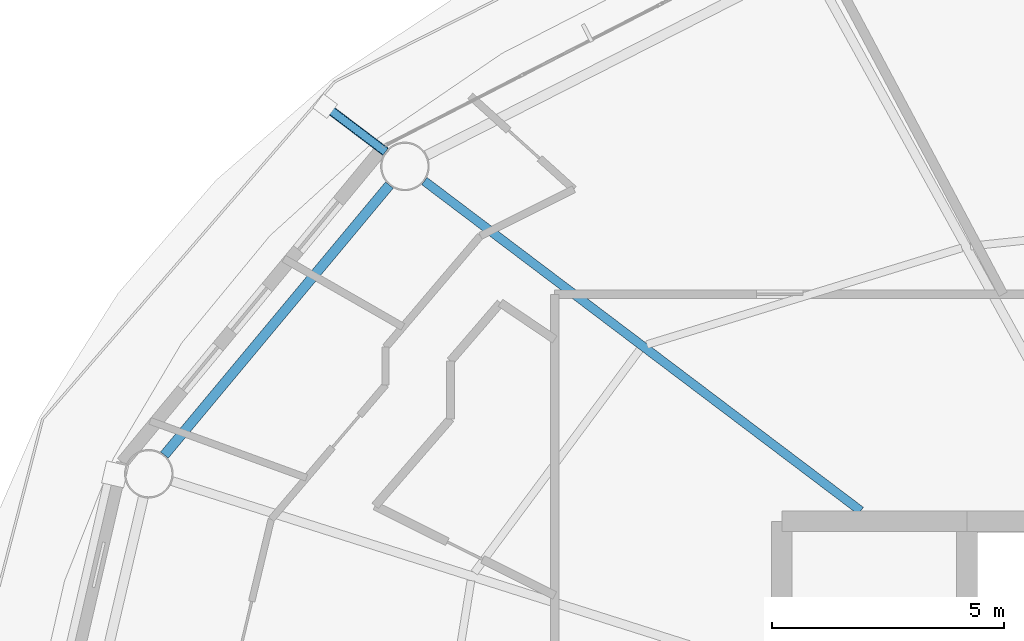
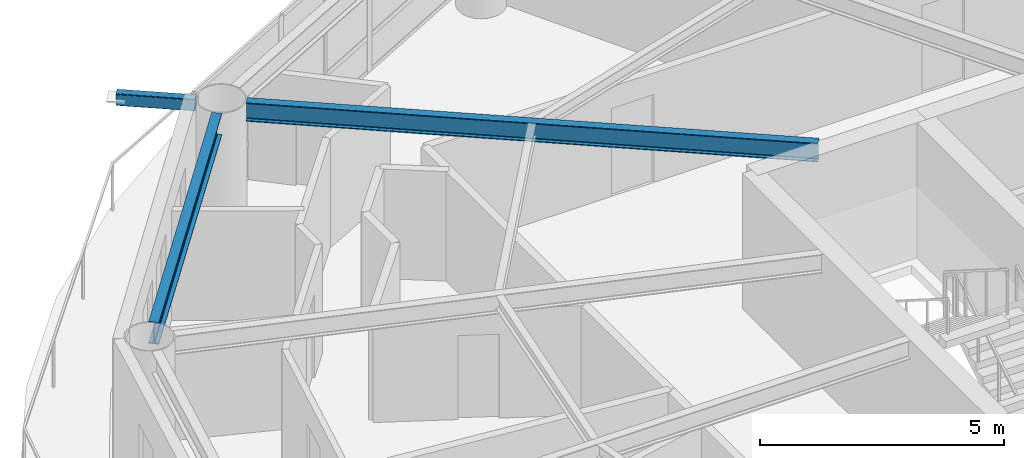
# One storey, part 10 of 28: 2 beams, 1 member.
"""IFC4 building model written with IfcOpenShell, lengths in metres."""

import ifcopenshell
import ifcopenshell.guid

model = None  # the IFC model being written
_history = None  # IfcOwnerHistory: only IFC2X3 demands one
_inside = {}  # id of a spatial element -> (the spatial element, [elements in it])
_under = {}  # id of a project, library or spatial element -> (it, [spatial elements below it])
_declared = {}  # id of a project -> (the project, [libraries it declares])
_typed = {}  # id of a type object -> (the type object, [elements of that type])
_made_of = {}  # id of a material, layer set ... -> (it, [elements and type objects made of it])


def new_model(schema):
    """Start an empty IFC model of exactly this schema.

    Asked for "IFC4X3", IfcOpenShell would pick the latest addendum, in which some entities
    have other attributes; the version numbers below select the first issue.
    IFC2X3 requires an IfcOwnerHistory on every rooted entity: one is made here for all.
    """
    global model, _history
    if schema == "IFC4X3":
        model = ifcopenshell.file(schema_version=(4, 3, 0, 0))
    else:
        model = ifcopenshell.file(schema=schema)
    _inside.clear()
    _under.clear()
    _declared.clear()
    _typed.clear()
    _made_of.clear()
    _history = None
    if model.schema == "IFC2X3":
        org = make("IfcOrganization", Name="unknown")
        user = make(
            "IfcPersonAndOrganization",
            ThePerson=make("IfcPerson", FamilyName="unknown"),
            TheOrganization=org,
        )
        app = make(
            "IfcApplication",
            ApplicationDeveloper=org,
            Version="unknown",
            ApplicationFullName="unknown",
            ApplicationIdentifier="unknown",
        )
        _history = make(
            "IfcOwnerHistory",
            OwningUser=user,
            OwningApplication=app,
            ChangeAction="ADDED",
            CreationDate=0,
        )
    return model


def make(cls, **values):
    """One entity of the class cls with the attributes given. An attribute that is None is left unset."""
    return model.create_entity(
        cls, **{name: value for name, value in values.items() if value is not None}
    )


def rooted(cls, **values):
    """An entity with a GlobalId (a new one), such as an element, a storey or a relation."""
    return make(cls, GlobalId=ifcopenshell.guid.new(), OwnerHistory=_history, **values)


def si_unit(unit_type, name, prefix=None):
    """IfcSIUnit, for example si_unit("LENGTHUNIT", "METRE", prefix="MILLI")."""
    return make("IfcSIUnit", UnitType=unit_type, Prefix=prefix, Name=name)


def assignment(units):
    """IfcUnitAssignment: the units of a project."""
    return None if units is None else make("IfcUnitAssignment", Units=units)


def point(xyz):
    """IfcCartesianPoint."""
    return None if xyz is None else make("IfcCartesianPoint", Coordinates=xyz)


def direction(xyz):
    """IfcDirection."""
    return None if xyz is None else make("IfcDirection", DirectionRatios=xyz)


def frame(location, z_axis=None, x_axis=None):
    """IfcAxis2Placement3D, a coordinate frame: its origin and axes. An axis left out is left unset."""
    return make(
        "IfcAxis2Placement3D",
        Location=point(location),
        Axis=direction(z_axis),
        RefDirection=direction(x_axis),
    )


def frame_2d(location, x_axis=None):
    """IfcAxis2Placement2D, a coordinate frame in the plane: its origin and x axis."""
    return make(
        "IfcAxis2Placement2D", Location=point(location), RefDirection=direction(x_axis)
    )


def origin():
    """The frame at (0, 0, 0) with its axes left unset."""
    return frame((0.0, 0.0, 0.0))


def origin_2d():
    """The frame at (0, 0) in the plane with its x axis left unset."""
    return frame_2d((0.0, 0.0))


def place(relative_to, where):
    """IfcLocalPlacement: puts the frame where relative to a parent placement (None: the world)."""
    return make(
        "IfcLocalPlacement", PlacementRelTo=relative_to, RelativePlacement=where
    )


def context(
    kind, dimensions, precision=None, world=None, true_north=None, identifier=None
):
    """IfcGeometricRepresentationContext, for example the 3D "Model" context."""
    return make(
        "IfcGeometricRepresentationContext",
        ContextIdentifier=identifier,
        ContextType=kind,
        CoordinateSpaceDimension=dimensions,
        Precision=precision,
        WorldCoordinateSystem=world,
        TrueNorth=true_north,
    )


def subcontext(parent, identifier, kind, view, scale=None):
    """IfcGeometricRepresentationSubContext, for example "Body" below "Model"."""
    return make(
        "IfcGeometricRepresentationSubContext",
        ContextIdentifier=identifier,
        ContextType=kind,
        ParentContext=parent,
        TargetScale=scale,
        TargetView=view,
    )


def project(units=None, contexts=None):
    """IfcProject with its units and contexts."""
    return rooted(
        "IfcProject",
        Name="project",
        RepresentationContexts=contexts,
        UnitsInContext=assignment(units),
    )


def spatial(cls, under=None, at=None, **own):
    """A site, building, storey or space (cls), placed at a placement, below another one or the project."""
    s = rooted(cls, ObjectPlacement=at, **own)
    if under is not None:
        _under.setdefault(under.id(), (under, []))[1].append(s)
    return s


def profile(cls, at=None, kind="AREA", **sizes):
    """A parametric profile (cls). Its sizes go by their IFC names, for example OverallWidth=200.0."""
    return make(cls, ProfileType=kind, Position=at, **sizes)


def hollow_rectangle(**sizes):
    """IfcRectangleHollowProfileDef."""
    return profile("IfcRectangleHollowProfileDef", **sizes)


def i_section(**sizes):
    """IfcIShapeProfileDef."""
    return profile("IfcIShapeProfileDef", **sizes)


def extrude(swept, where, along, depth):
    """IfcExtrudedAreaSolid: the profile swept, set in the frame where, extruded along a direction by depth."""
    return make(
        "IfcExtrudedAreaSolid",
        SweptArea=swept,
        Position=where,
        ExtrudedDirection=direction(along),
        Depth=depth,
    )


def shape(context_of_items, identifier, shape_type, items):
    """IfcShapeRepresentation: the items that make up one representation, for example the "Body"."""
    return make(
        "IfcShapeRepresentation",
        ContextOfItems=context_of_items,
        RepresentationIdentifier=identifier,
        RepresentationType=shape_type,
        Items=items,
    )


def material(Name=None, Category=None):
    """IfcMaterial."""
    return make("IfcMaterial", Name=Name, Category=Category)


def material_profile(
    of_material, cross_section, Name=None, Category=None, Priority=None
):
    """IfcMaterialProfile: a cross section and its material."""
    return make(
        "IfcMaterialProfile",
        Name=Name,
        Material=of_material,
        Profile=cross_section,
        Priority=Priority,
        Category=Category,
    )


def profile_set(profiles, Name=None, composite=None):
    """IfcMaterialProfileSet."""
    return make(
        "IfcMaterialProfileSet",
        Name=Name,
        MaterialProfiles=profiles,
        CompositeProfile=composite,
    )


def made_of(thing, what):
    """Note that an element or type object is made of a material, layer set ...; save() writes the relation."""
    if what is not None:
        _made_of.setdefault(what.id(), (what, []))[1].append(thing)
    return thing


def type_object(cls, material=None, **own):
    """A type object (cls), such as IfcWallType, which elements share."""
    return made_of(rooted(cls, **own), material)


def element(
    cls,
    number,
    at=None,
    inside=None,
    cuts=None,
    type_object=None,
    material=None,
    context=None,
    identifier="Body",
    shape_type=None,
    held_by="IfcProductDefinitionShape",
    body=None,
    shapes=None,
    **own,
):
    """One element of the class cls, such as IfcWall. Its Tag is "e" and its number.

    at: its placement. inside: the storey or other place that contains it. cuts: it is an
    opening in that element (IfcRelVoidsElement). A single representation is given by context,
    identifier, shape_type and body (its items); several are given by shapes. held_by: the class
    of the entity that holds the representations. save() writes the other relations.
    """
    e = rooted(cls, Tag="e%d" % number, ObjectPlacement=at, **own)
    if body is not None:
        shapes = [shape(context, identifier, shape_type, body)]
    if shapes is not None:
        e.Representation = make(held_by, Representations=shapes)
    if inside is not None:
        _inside.setdefault(inside.id(), (inside, []))[1].append(e)
    if cuts is not None:
        rooted(
            "IfcRelVoidsElement", RelatingBuildingElement=cuts, RelatedOpeningElement=e
        )
    if type_object is not None:
        _typed.setdefault(type_object.id(), (type_object, []))[1].append(e)
    return made_of(e, material)


def aggregate(whole, parts):
    """IfcRelAggregates: a whole, such as a stair, and the parts it consists of."""
    return rooted("IfcRelAggregates", RelatingObject=whole, RelatedObjects=parts)


def save(model, path):
    """Write the relations noted so far, then the file.

    IfcRelAggregates (storeys below a building ...), IfcRelContainedInSpatialStructure (elements
    in a storey), IfcRelDefinesByType, IfcRelAssociatesMaterial and IfcRelDeclares: one each for
    every whole, place, type object, material and project.
    """
    for whole, parts in _under.values():
        aggregate(whole, parts)
    for where, things in _inside.values():
        rooted(
            "IfcRelContainedInSpatialStructure",
            RelatedElements=things,
            RelatingStructure=where,
        )
    for kind, things in _typed.values():
        rooted("IfcRelDefinesByType", RelatedObjects=things, RelatingType=kind)
    for what, things in _made_of.values():
        rooted("IfcRelAssociatesMaterial", RelatedObjects=things, RelatingMaterial=what)
    for by, libraries in _declared.values():
        rooted("IfcRelDeclares", RelatingContext=by, RelatedDefinitions=libraries)
    model.write(path)


model = new_model("IFC4")

# Units and contexts
model_context = context("Model", 3, precision=1e-05, world=origin(), true_north=direction((0.0, 1.0)))
body_context = subcontext(model_context, "Body", "Model", "MODEL_VIEW")
ifc_project = project(units=[si_unit("LENGTHUNIT", "METRE"), si_unit("AREAUNIT", "SQUARE_METRE"), si_unit("VOLUMEUNIT", "CUBIC_METRE"), si_unit("PLANEANGLEUNIT", "RADIAN"), si_unit("MASSUNIT", "GRAM", prefix="KILO")], contexts=[model_context])

# Site, building, storey
site_placement = place(None, origin())
site = spatial("IfcSite", under=ifc_project, at=site_placement, CompositionType="ELEMENT")
building_placement = place(site_placement, origin())
building = spatial("IfcBuilding", under=site, at=building_placement, Name="Sarneth Arch Tower", CompositionType="ELEMENT")
storey_placement = place(building_placement, frame((0.0, 0.0, 154.199951171875)))
storey = spatial("IfcBuildingStorey", under=building, at=storey_placement, Name="L38", CompositionType="ELEMENT", Elevation=154.199951171875)

# Beams
ifc_material_1 = material(Name="Steel S355", Category="steel")
ifc_material_profile_1 = material_profile(ifc_material_1, i_section(OverallWidth=0.193115234375, OverallDepth=0.466064453125, WebThickness=0.011474609375, FlangeThickness=0.01904296875, FilletRadius=0.01806640625, at=origin_2d()), Name="W460x97")
ifc_profile_set_1 = profile_set([ifc_material_profile_1], Name="Steel S355")
beam_type_1 = type_object("IfcBeamType", Name="BM-RAD-460C", PredefinedType="BEAM", material=ifc_profile_set_1)
beam_1_placement = place(storey_placement, frame((38.70458984375, 49.02490234375, 3.14697265625), z_axis=(-0.797786205076, 0.602940437349, 0.0), x_axis=(-0.602940437349, -0.797786205076, 0.0)))
element("IfcBeam", 1, at=beam_1_placement, inside=storey, type_object=beam_type_1, Name="L38 Radial floor girder 07", PredefinedType="BEAM", context=body_context, shape_type="SweptSolid", body=[
    extrude(i_section(OverallWidth=0.193115234375, OverallDepth=0.466064453125, WebThickness=0.011474609375, FlangeThickness=0.01904296875, FilletRadius=0.01806640625, at=origin_2d()), origin(), (0.0, 0.0, 1.0), 11.806884765625),
])
ifc_material_2 = material(Name="Steel S355", Category="steel")
ifc_material_profile_2 = material_profile(ifc_material_2, i_section(OverallWidth=0.214111328125, OverallDepth=0.549072265625, WebThickness=0.0146484375, FlangeThickness=0.023681640625, FilletRadius=0.01806640625, at=origin_2d()), Name="W530x138")
ifc_profile_set_2 = profile_set([ifc_material_profile_2], Name="Steel S355")
beam_type_2 = type_object("IfcBeamType", Name="BM-RAD-530A", PredefinedType="BEAM", material=ifc_profile_set_2)
beam_2_placement = place(storey_placement, frame((28.530029296875, 56.056884765625, 3.10546875), z_axis=(-0.640171737024, -0.768231831621, 0.0), x_axis=(0.768231831621, -0.640171737024, 0.0)))
element("IfcBeam", 2, at=beam_2_placement, inside=storey, type_object=beam_type_2, Name="L38 Perimeter spandrel beam 07", PredefinedType="BEAM", context=body_context, shape_type="SweptSolid", body=[
    extrude(i_section(OverallWidth=0.214111328125, OverallDepth=0.549072265625, WebThickness=0.0146484375, FlangeThickness=0.023681640625, FilletRadius=0.01806640625, at=origin_2d()), origin(), (0.0, 0.0, 1.0), 7.585693359375),
])

# Member
ifc_material_3 = material(Name="Steel S355", Category="steel")
ifc_material_profile_3 = material_profile(ifc_material_3, hollow_rectangle(XDim=0.199951171875, YDim=0.300048828125, WallThickness=0.012451171875, InnerFilletRadius=0.018798828125, OuterFilletRadius=0.03125, at=origin_2d()), Name="RHS300x200x12.5")
ifc_profile_set_3 = profile_set([ifc_material_profile_3], Name="Steel S355")
member_type = type_object("IfcMemberType", Name="MEM-CANT-STRUT", PredefinedType="STRUT", material=ifc_profile_set_3)
member_placement = place(storey_placement, frame((28.447265625, 56.77685546875, 3.219970703125), z_axis=(-0.797752277417, 0.602985326419, 0.0), x_axis=(-0.602985326419, -0.797752277417, 0.0)))
element("IfcMember", 3, at=member_placement, inside=storey, type_object=member_type, Name="L38 Balcony cantilever bracket 07", PredefinedType="STRUT", context=body_context, shape_type="SweptSolid", body=[
    extrude(hollow_rectangle(XDim=0.199951171875, YDim=0.300048828125, WallThickness=0.012451171875, InnerFilletRadius=0.018798828125, OuterFilletRadius=0.03125, at=origin_2d()), origin(), (0.0, 0.0, 1.0), 1.63330078125),
])

save(model, "model.ifc")
